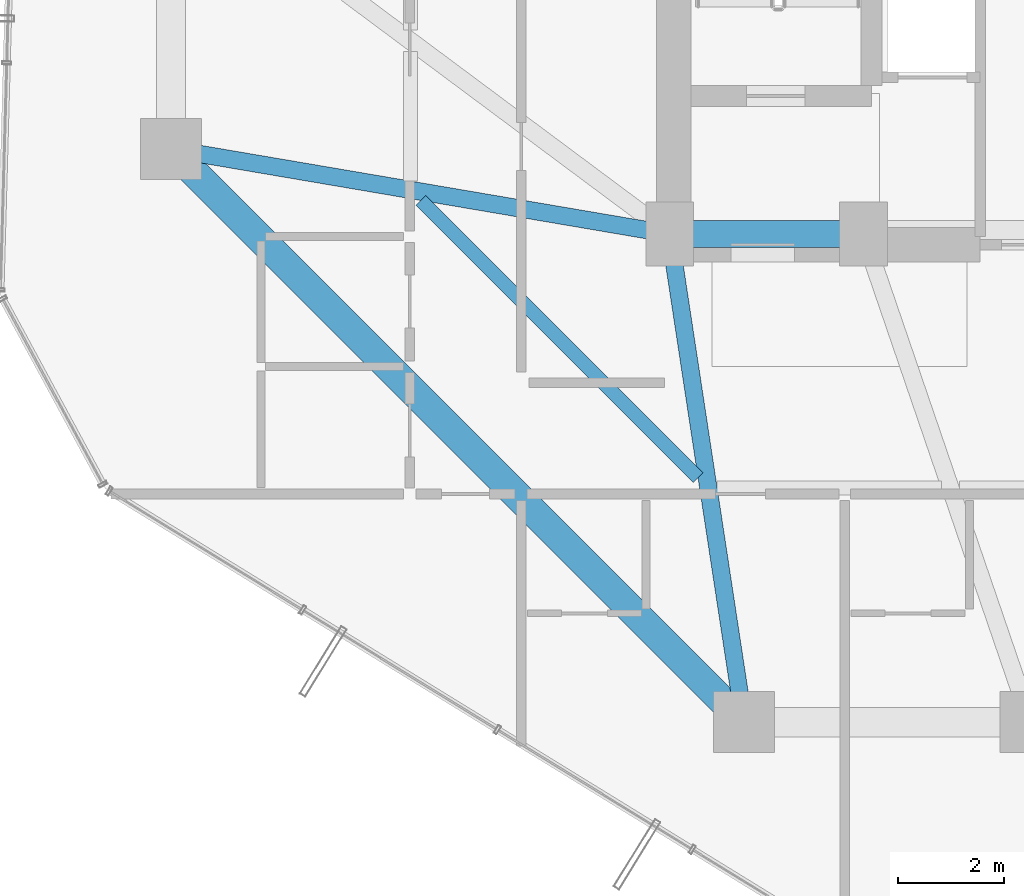
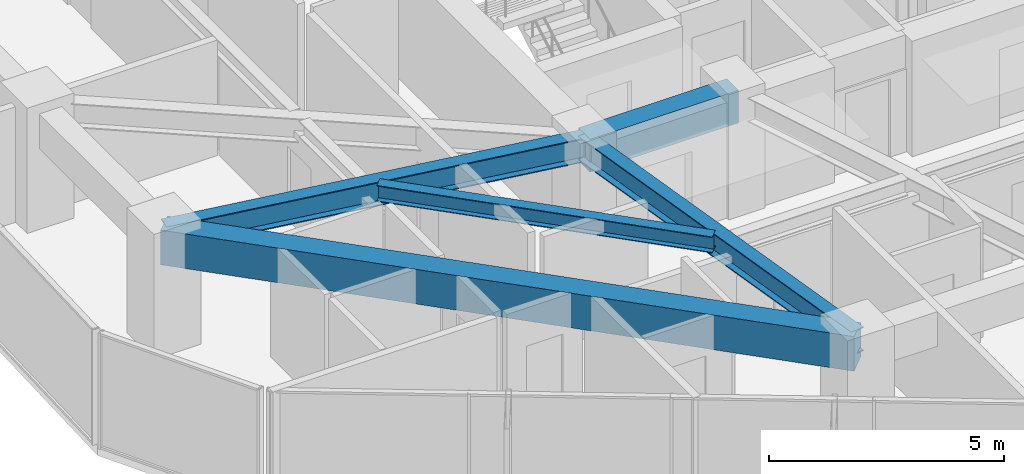
# One storey, part 5 of 30: 5 beams.
"""IFC4 building model written with IfcOpenShell, lengths in metres."""

import ifcopenshell
import ifcopenshell.guid

model = None  # the IFC model being written
_history = None  # IfcOwnerHistory: only IFC2X3 demands one
_inside = {}  # id of a spatial element -> (the spatial element, [elements in it])
_under = {}  # id of a project, library or spatial element -> (it, [spatial elements below it])
_declared = {}  # id of a project -> (the project, [libraries it declares])
_typed = {}  # id of a type object -> (the type object, [elements of that type])
_made_of = {}  # id of a material, layer set ... -> (it, [elements and type objects made of it])


def new_model(schema):
    """Start an empty IFC model of exactly this schema.

    Asked for "IFC4X3", IfcOpenShell would pick the latest addendum, in which some entities
    have other attributes; the version numbers below select the first issue.
    IFC2X3 requires an IfcOwnerHistory on every rooted entity: one is made here for all.
    """
    global model, _history
    if schema == "IFC4X3":
        model = ifcopenshell.file(schema_version=(4, 3, 0, 0))
    else:
        model = ifcopenshell.file(schema=schema)
    _inside.clear()
    _under.clear()
    _declared.clear()
    _typed.clear()
    _made_of.clear()
    _history = None
    if model.schema == "IFC2X3":
        org = make("IfcOrganization", Name="unknown")
        user = make(
            "IfcPersonAndOrganization",
            ThePerson=make("IfcPerson", FamilyName="unknown"),
            TheOrganization=org,
        )
        app = make(
            "IfcApplication",
            ApplicationDeveloper=org,
            Version="unknown",
            ApplicationFullName="unknown",
            ApplicationIdentifier="unknown",
        )
        _history = make(
            "IfcOwnerHistory",
            OwningUser=user,
            OwningApplication=app,
            ChangeAction="ADDED",
            CreationDate=0,
        )
    return model


def make(cls, **values):
    """One entity of the class cls with the attributes given. An attribute that is None is left unset."""
    return model.create_entity(
        cls, **{name: value for name, value in values.items() if value is not None}
    )


def rooted(cls, **values):
    """An entity with a GlobalId (a new one), such as an element, a storey or a relation."""
    return make(cls, GlobalId=ifcopenshell.guid.new(), OwnerHistory=_history, **values)


def si_unit(unit_type, name, prefix=None):
    """IfcSIUnit, for example si_unit("LENGTHUNIT", "METRE", prefix="MILLI")."""
    return make("IfcSIUnit", UnitType=unit_type, Prefix=prefix, Name=name)


def assignment(units):
    """IfcUnitAssignment: the units of a project."""
    return None if units is None else make("IfcUnitAssignment", Units=units)


def point(xyz):
    """IfcCartesianPoint."""
    return None if xyz is None else make("IfcCartesianPoint", Coordinates=xyz)


def direction(xyz):
    """IfcDirection."""
    return None if xyz is None else make("IfcDirection", DirectionRatios=xyz)


def frame(location, z_axis=None, x_axis=None):
    """IfcAxis2Placement3D, a coordinate frame: its origin and axes. An axis left out is left unset."""
    return make(
        "IfcAxis2Placement3D",
        Location=point(location),
        Axis=direction(z_axis),
        RefDirection=direction(x_axis),
    )


def frame_2d(location, x_axis=None):
    """IfcAxis2Placement2D, a coordinate frame in the plane: its origin and x axis."""
    return make(
        "IfcAxis2Placement2D", Location=point(location), RefDirection=direction(x_axis)
    )


def origin():
    """The frame at (0, 0, 0) with its axes left unset."""
    return frame((0.0, 0.0, 0.0))


def origin_2d():
    """The frame at (0, 0) in the plane with its x axis left unset."""
    return frame_2d((0.0, 0.0))


def place(relative_to, where):
    """IfcLocalPlacement: puts the frame where relative to a parent placement (None: the world)."""
    return make(
        "IfcLocalPlacement", PlacementRelTo=relative_to, RelativePlacement=where
    )


def context(
    kind, dimensions, precision=None, world=None, true_north=None, identifier=None
):
    """IfcGeometricRepresentationContext, for example the 3D "Model" context."""
    return make(
        "IfcGeometricRepresentationContext",
        ContextIdentifier=identifier,
        ContextType=kind,
        CoordinateSpaceDimension=dimensions,
        Precision=precision,
        WorldCoordinateSystem=world,
        TrueNorth=true_north,
    )


def subcontext(parent, identifier, kind, view, scale=None):
    """IfcGeometricRepresentationSubContext, for example "Body" below "Model"."""
    return make(
        "IfcGeometricRepresentationSubContext",
        ContextIdentifier=identifier,
        ContextType=kind,
        ParentContext=parent,
        TargetScale=scale,
        TargetView=view,
    )


def project(units=None, contexts=None):
    """IfcProject with its units and contexts."""
    return rooted(
        "IfcProject",
        Name="project",
        RepresentationContexts=contexts,
        UnitsInContext=assignment(units),
    )


def spatial(cls, under=None, at=None, **own):
    """A site, building, storey or space (cls), placed at a placement, below another one or the project."""
    s = rooted(cls, ObjectPlacement=at, **own)
    if under is not None:
        _under.setdefault(under.id(), (under, []))[1].append(s)
    return s


def profile(cls, at=None, kind="AREA", **sizes):
    """A parametric profile (cls). Its sizes go by their IFC names, for example OverallWidth=200.0."""
    return make(cls, ProfileType=kind, Position=at, **sizes)


def rectangle(**sizes):
    """IfcRectangleProfileDef."""
    return profile("IfcRectangleProfileDef", **sizes)


def i_section(**sizes):
    """IfcIShapeProfileDef."""
    return profile("IfcIShapeProfileDef", **sizes)


def extrude(swept, where, along, depth):
    """IfcExtrudedAreaSolid: the profile swept, set in the frame where, extruded along a direction by depth."""
    return make(
        "IfcExtrudedAreaSolid",
        SweptArea=swept,
        Position=where,
        ExtrudedDirection=direction(along),
        Depth=depth,
    )


def shape(context_of_items, identifier, shape_type, items):
    """IfcShapeRepresentation: the items that make up one representation, for example the "Body"."""
    return make(
        "IfcShapeRepresentation",
        ContextOfItems=context_of_items,
        RepresentationIdentifier=identifier,
        RepresentationType=shape_type,
        Items=items,
    )


def material(Name=None, Category=None):
    """IfcMaterial."""
    return make("IfcMaterial", Name=Name, Category=Category)


def material_profile(
    of_material, cross_section, Name=None, Category=None, Priority=None
):
    """IfcMaterialProfile: a cross section and its material."""
    return make(
        "IfcMaterialProfile",
        Name=Name,
        Material=of_material,
        Profile=cross_section,
        Priority=Priority,
        Category=Category,
    )


def profile_set(profiles, Name=None, composite=None):
    """IfcMaterialProfileSet."""
    return make(
        "IfcMaterialProfileSet",
        Name=Name,
        MaterialProfiles=profiles,
        CompositeProfile=composite,
    )


def made_of(thing, what):
    """Note that an element or type object is made of a material, layer set ...; save() writes the relation."""
    if what is not None:
        _made_of.setdefault(what.id(), (what, []))[1].append(thing)
    return thing


def type_object(cls, material=None, **own):
    """A type object (cls), such as IfcWallType, which elements share."""
    return made_of(rooted(cls, **own), material)


def element(
    cls,
    number,
    at=None,
    inside=None,
    cuts=None,
    type_object=None,
    material=None,
    context=None,
    identifier="Body",
    shape_type=None,
    held_by="IfcProductDefinitionShape",
    body=None,
    shapes=None,
    **own,
):
    """One element of the class cls, such as IfcWall. Its Tag is "e" and its number.

    at: its placement. inside: the storey or other place that contains it. cuts: it is an
    opening in that element (IfcRelVoidsElement). A single representation is given by context,
    identifier, shape_type and body (its items); several are given by shapes. held_by: the class
    of the entity that holds the representations. save() writes the other relations.
    """
    e = rooted(cls, Tag="e%d" % number, ObjectPlacement=at, **own)
    if body is not None:
        shapes = [shape(context, identifier, shape_type, body)]
    if shapes is not None:
        e.Representation = make(held_by, Representations=shapes)
    if inside is not None:
        _inside.setdefault(inside.id(), (inside, []))[1].append(e)
    if cuts is not None:
        rooted(
            "IfcRelVoidsElement", RelatingBuildingElement=cuts, RelatedOpeningElement=e
        )
    if type_object is not None:
        _typed.setdefault(type_object.id(), (type_object, []))[1].append(e)
    return made_of(e, material)


def aggregate(whole, parts):
    """IfcRelAggregates: a whole, such as a stair, and the parts it consists of."""
    return rooted("IfcRelAggregates", RelatingObject=whole, RelatedObjects=parts)


def save(model, path):
    """Write the relations noted so far, then the file.

    IfcRelAggregates (storeys below a building ...), IfcRelContainedInSpatialStructure (elements
    in a storey), IfcRelDefinesByType, IfcRelAssociatesMaterial and IfcRelDeclares: one each for
    every whole, place, type object, material and project.
    """
    for whole, parts in _under.values():
        aggregate(whole, parts)
    for where, things in _inside.values():
        rooted(
            "IfcRelContainedInSpatialStructure",
            RelatedElements=things,
            RelatingStructure=where,
        )
    for kind, things in _typed.values():
        rooted("IfcRelDefinesByType", RelatedObjects=things, RelatingType=kind)
    for what, things in _made_of.values():
        rooted("IfcRelAssociatesMaterial", RelatedObjects=things, RelatingMaterial=what)
    for by, libraries in _declared.values():
        rooted("IfcRelDeclares", RelatingContext=by, RelatedDefinitions=libraries)
    model.write(path)


model = new_model("IFC4")

# Units and contexts
model_context = context("Model", 3, precision=1e-05, world=origin(), true_north=direction((0.0, 1.0)))
body_context = subcontext(model_context, "Body", "Model", "MODEL_VIEW")
ifc_project = project(units=[si_unit("LENGTHUNIT", "METRE"), si_unit("AREAUNIT", "SQUARE_METRE"), si_unit("VOLUMEUNIT", "CUBIC_METRE"), si_unit("PLANEANGLEUNIT", "RADIAN"), si_unit("MASSUNIT", "GRAM", prefix="KILO")], contexts=[model_context])

# Site, building, storey
site_placement = place(None, origin())
site = spatial("IfcSite", under=ifc_project, at=site_placement, CompositionType="ELEMENT")
building_placement = place(site_placement, origin())
building = spatial("IfcBuilding", under=site, at=building_placement, Name="Veraguas Prism Commons", CompositionType="ELEMENT")
storey_placement = place(building_placement, frame((0.0, 0.0, 123.0)))
storey = spatial("IfcBuildingStorey", under=building, at=storey_placement, Name="L34", CompositionType="ELEMENT", Elevation=123.0)

# Beams
ifc_material_1 = material(Name="Concrete C50/60", Category="concrete")
ifc_material_profile_1 = material_profile(ifc_material_1, rectangle(XDim=0.5, YDim=0.85009765625, at=origin_2d()), Name="RC500X850")
ifc_profile_set_1 = profile_set([ifc_material_profile_1], Name="Concrete C50/60")
beam_type_1 = type_object("IfcBeamType", Name="Core Coupling Beam RC 500x850", PredefinedType="BEAM", material=ifc_profile_set_1)
beam_1_placement = place(storey_placement, frame((17.199951171875, 17.0, 2.574951171875), z_axis=(1.0, 0.0, 0.0), x_axis=(0.0, 1.0, 0.0)))
element("IfcBeam", 1, at=beam_1_placement, inside=storey, type_object=beam_type_1, Name="Core Coupling Beam L34-CRS1", PredefinedType="BEAM", context=body_context, shape_type="SweptSolid", body=[
    extrude(rectangle(XDim=0.5, YDim=0.85009765625, at=origin_2d()), origin(), (0.0, 0.0, 1.0), 3.650146484375),
])
ifc_material_2 = material(Name="Steel ASTM A992 Grade 50", Category="steel")
ifc_material_profile_2 = material_profile(ifc_material_2, i_section(OverallWidth=0.260986328125, OverallDepth=0.419921875, WebThickness=0.01171875, FlangeThickness=0.019287109375, at=origin_2d()), Name="W410X114")
ifc_profile_set_2 = profile_set([ifc_material_profile_2], Name="Steel ASTM A992 Grade 50")
beam_type_2 = type_object("IfcBeamType", Name="Lower Floor Joist W410x114", PredefinedType="JOIST", material=ifc_profile_set_2)
beam_2_placement = place(storey_placement, frame((12.510009765625, 17.634033203125, 2.7900390625), z_axis=(0.707090260193, -0.707123301794, 0.0), x_axis=(0.707123301794, 0.707090260193, 0.0)))
element("IfcBeam", 2, at=beam_2_placement, inside=storey, type_object=beam_type_2, Name="Composite Floor Joist L34-JS09", PredefinedType="JOIST", context=body_context, shape_type="SweptSolid", body=[
    extrude(i_section(OverallWidth=0.260986328125, OverallDepth=0.419921875, WebThickness=0.01171875, FlangeThickness=0.019287109375, at=origin_2d()), origin(), (0.0, 0.0, 1.0), 7.388916015625),
])
ifc_material_profile_3 = material_profile(ifc_material_1, rectangle(XDim=0.550048828125, YDim=0.89990234375, at=origin_2d()), Name="RC550X900")
ifc_profile_set_3 = profile_set([ifc_material_profile_3], Name="Concrete C50/60")
beam_type_3 = type_object("IfcBeamType", Name="Perimeter Spandrel Lower RC 550x900", PredefinedType="SPANDREL", material=ifc_profile_set_3)
beam_3_placement = place(storey_placement, frame((7.800048828125, 18.60009765625, 2.550048828125), z_axis=(0.707106781187, -0.707106781187, 0.0), x_axis=(0.707106781187, 0.707106781187, 0.0)))
element("IfcBeam", 3, at=beam_3_placement, inside=storey, type_object=beam_type_3, Name="Perimeter Spandrel Beam L34-SP09", PredefinedType="SPANDREL", context=body_context, shape_type="SweptSolid", body=[
    extrude(rectangle(XDim=0.550048828125, YDim=0.89990234375, at=origin_2d()), origin(), (0.0, 0.0, 1.0), 15.273681640625),
])
ifc_material_profile_4 = material_profile(ifc_material_2, i_section(OverallWidth=0.327880859375, OverallDepth=0.6220703125, WebThickness=0.015380859375, FlangeThickness=0.0244140625, at=origin_2d()), Name="W610X195")
ifc_profile_set_4 = profile_set([ifc_material_profile_4], Name="Steel ASTM A992 Grade 50")
beam_type_4 = type_object("IfcBeamType", Name="Zone 2 Radial Girder W610x195", PredefinedType="BEAM", material=ifc_profile_set_4)
beam_4_placement = place(storey_placement, frame((7.800048828125, 18.60009765625, 2.68896484375), z_axis=(0.985819187151, -0.1678109956, 0.0), x_axis=(0.1678109956, 0.985819187151, 0.0)))
element("IfcBeam", 4, at=beam_4_placement, inside=storey, type_object=beam_type_4, Name="Radial Floor Girder L34-RD09", PredefinedType="BEAM", context=body_context, shape_type="SweptSolid", body=[
    extrude(i_section(OverallWidth=0.327880859375, OverallDepth=0.6220703125, WebThickness=0.015380859375, FlangeThickness=0.0244140625, at=origin_2d()), origin(), (0.0, 0.0, 1.0), 9.53515625),
])
beam_5_placement = place(storey_placement, frame((18.60009765625, 7.800048828125, 2.68896484375), z_axis=(-0.150458162136, 0.98861637729, 0.0), x_axis=(-0.98861637729, -0.150458162136, 0.0)))
element("IfcBeam", 5, at=beam_5_placement, inside=storey, type_object=beam_type_4, Name="Radial Floor Girder L34-RD10", PredefinedType="BEAM", context=body_context, shape_type="SweptSolid", body=[
    extrude(i_section(OverallWidth=0.327880859375, OverallDepth=0.6220703125, WebThickness=0.015380859375, FlangeThickness=0.0244140625, at=origin_2d()), origin(), (0.0, 0.0, 1.0), 9.305908203125),
])

save(model, "model.ifc")
